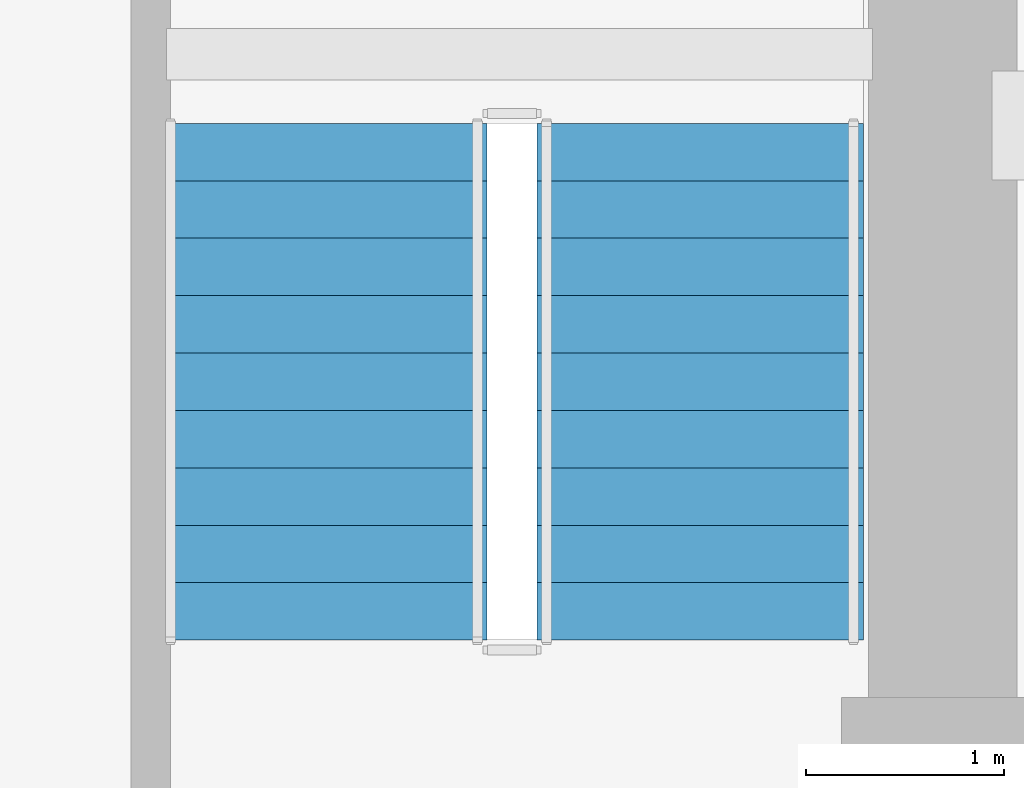
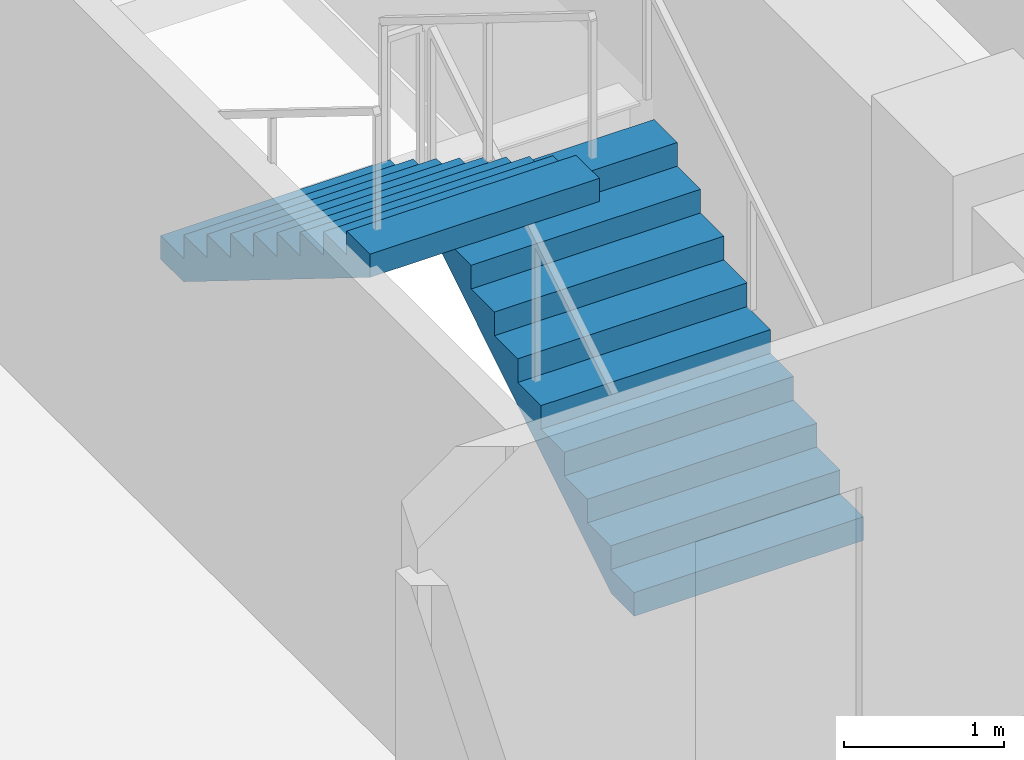
# One storey, part 10 of 12: 2 stair flights, 1 element without a shape of its own.
"""IFC4 building model written with IfcOpenShell, lengths in metres."""

from ifc_helpers import new_model, si_unit, derived_unit, direction, frame, origin, place, context, subcontext, project, spatial, polyline, outline, extrude, material, type_object, element, aggregate, save


model = new_model("IFC4")

# Units and contexts
model_context = context("Model", 3, precision=1e-05, world=origin(), true_north=direction((0.0, 1.0)))
body_context = subcontext(model_context, "Body", "Model", "MODEL_VIEW")
ifc_project = project(units=[si_unit("LENGTHUNIT", "METRE"), si_unit("AREAUNIT", "SQUARE_METRE"), si_unit("VOLUMEUNIT", "CUBIC_METRE"), si_unit("PLANEANGLEUNIT", "RADIAN"), si_unit("MASSUNIT", "GRAM", prefix="KILO"), derived_unit("THERMALTRANSMITTANCEUNIT", [(si_unit("POWERUNIT", "WATT"), 1), (si_unit("LENGTHUNIT", "METRE"), -2), (si_unit("THERMODYNAMICTEMPERATUREUNIT", "KELVIN"), -1)])], contexts=[model_context])

# Site, building, storey
site_placement = place(None, origin())
site = spatial("IfcSite", under=ifc_project, at=site_placement, CompositionType="ELEMENT")
building_placement = place(site_placement, origin())
building = spatial("IfcBuilding", under=site, at=building_placement, Name="Koralith Skygarden Medical Center", CompositionType="ELEMENT")
storey_placement = place(building_placement, frame((0.0, 0.0, 149.219970703125)))
storey = spatial("IfcBuildingStorey", under=building, at=storey_placement, Name="L38", CompositionType="ELEMENT", Elevation=149.219970703125)

# Stair, stair flights
ifc_material = material(Name="Concrete C45/55", Category="concrete")
stair_type = type_object("IfcStairType", Name="Core Exit Dogleg Concrete Stair", PredefinedType="HALF_TURN_STAIR", material=ifc_material)
stair_placement = place(storey_placement, origin())
stair = element("IfcStair", 1, at=stair_placement, inside=storey, type_object=stair_type, Name="L38 Smokeproof Exit Stair ST2", PredefinedType="HALF_TURN_STAIR")
stair_flight_type = type_object("IfcStairFlightType", Name="Core Exit Concrete Stair Flight 1650", PredefinedType="STRAIGHT", material=ifc_material)
stair_flight_1_placement = place(storey_placement, frame((46.97509765625, 26.699951171875, 0.0), z_axis=(0.0, 0.0, 1.0), x_axis=(0.0, 1.0, 0.0)))
stair_flight_1 = element("IfcStairFlight", 2, at=stair_flight_1_placement, type_object=stair_flight_type, Name="ST2 flight 1", NumberOfRisers=10, NumberOfTreads=9, PredefinedType="STRAIGHT", RiserHeight=0.18, TreadLength=0.29, context=body_context, shape_type="SweptSolid", body=[
    extrude(outline(polyline([(0.0, 0.0), (0.0, 0.179931640625), (0.2900390625, 0.179931640625), (0.2900390625, 0.360107421875), (0.580078125, 0.360107421875), (0.580078125, 0.5400390625), (0.8701171875, 0.5400390625), (0.8701171875, 0.719970703125), (1.159912109375, 0.719970703125), (1.159912109375, 0.89990234375), (1.449951171875, 0.89990234375), (1.449951171875, 1.080078125), (1.739990234375, 1.080078125), (1.739990234375, 1.260009765625), (2.030029296875, 1.260009765625), (2.030029296875, 1.43994140625), (2.320068359375, 1.43994140625), (2.320068359375, 1.6201171875), (2.610107421875, 1.6201171875), (2.610107421875, 1.800048828125), (2.610107421875, 1.443603515625), (0.2841796875, 0.0), (0.0, 0.0)])), frame((0.0, 0.824951171875, 0.0), z_axis=(0.0, -1.0, 0.0), x_axis=(1.0, 0.0, 0.0)), (0.0, 0.0, 1.0), 1.64990234375),
])
stair_flight_2_placement = place(storey_placement, frame((45.074951171875, 29.31005859375, 1.800048828125), z_axis=(0.0, 0.0, 1.0), x_axis=(0.0, -1.0, 0.0)))
stair_flight_2 = element("IfcStairFlight", 3, at=stair_flight_2_placement, type_object=stair_flight_type, Name="ST2 flight 2", NumberOfRisers=10, NumberOfTreads=9, PredefinedType="STRAIGHT", RiserHeight=0.18, TreadLength=0.29, context=body_context, shape_type="SweptSolid", body=[
    extrude(outline(polyline([(0.0, 0.0), (0.0, 0.179931640625), (0.2900390625, 0.179931640625), (0.2900390625, 0.360107421875), (0.580078125, 0.360107421875), (0.580078125, 0.5400390625), (0.8701171875, 0.5400390625), (0.8701171875, 0.719970703125), (1.159912109375, 0.719970703125), (1.159912109375, 0.89990234375), (1.449951171875, 0.89990234375), (1.449951171875, 1.080078125), (1.739990234375, 1.080078125), (1.739990234375, 1.260009765625), (2.030029296875, 1.260009765625), (2.030029296875, 1.43994140625), (2.320068359375, 1.43994140625), (2.320068359375, 1.6201171875), (2.610107421875, 1.6201171875), (2.610107421875, 1.800048828125), (2.610107421875, 1.443603515625), (0.2841796875, 0.0), (0.0, 0.0)])), frame((0.0, 0.824951171875, 0.0), z_axis=(0.0, -1.0, 0.0), x_axis=(1.0, 0.0, 0.0)), (0.0, 0.0, 1.0), 1.64990234375),
])
aggregate(stair, [stair_flight_1, stair_flight_2])

save(model, "model.ifc")
